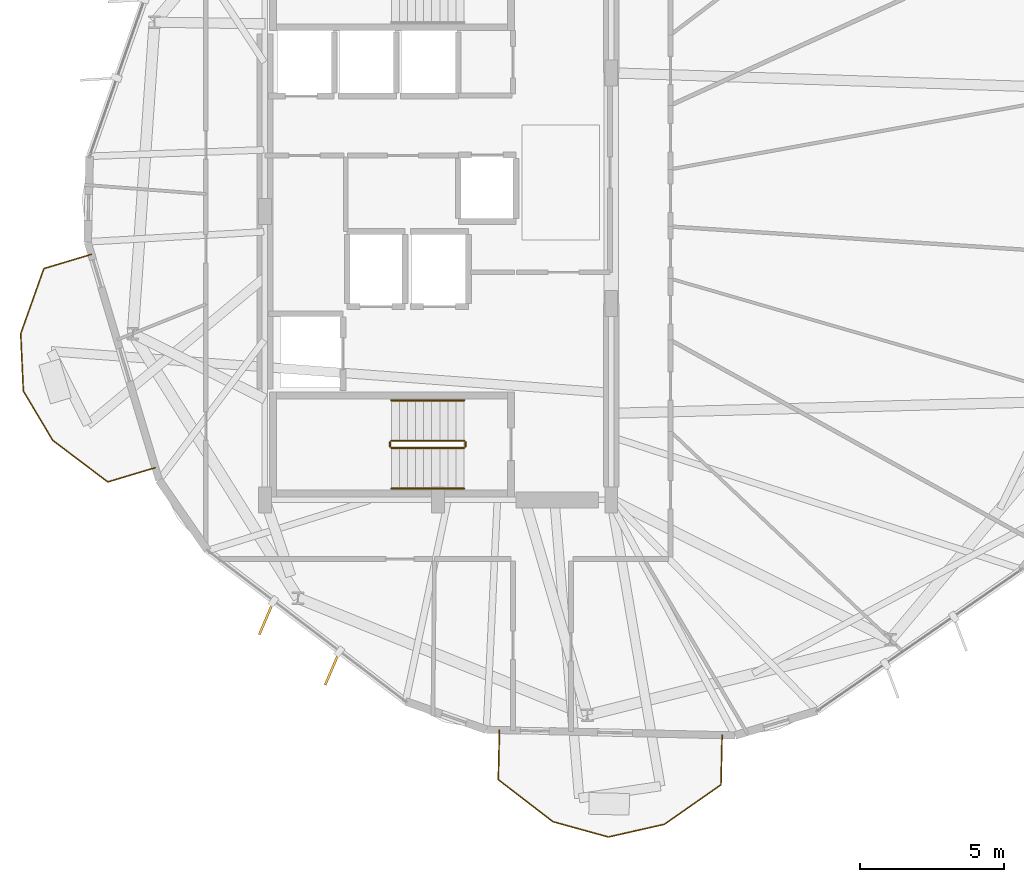
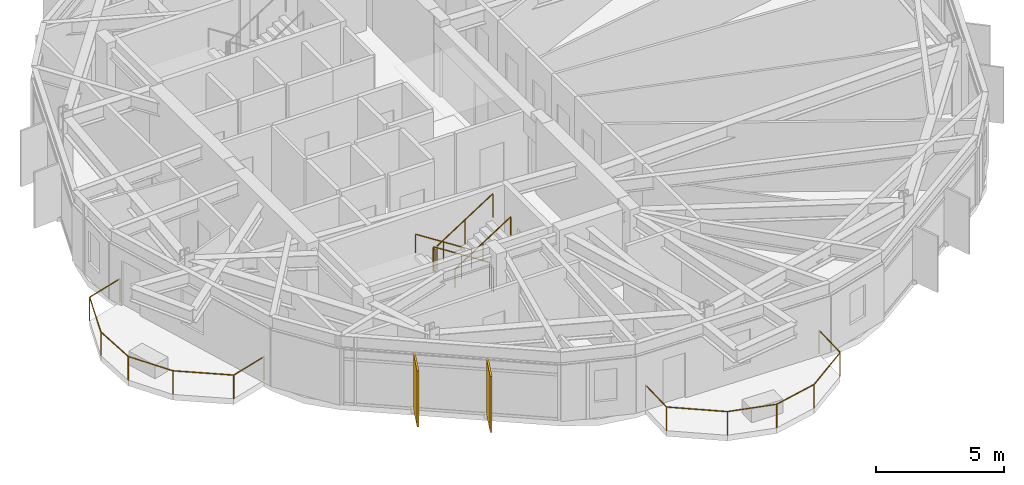
# One storey, part 19 of 22: 8 railings, 2 shading devices.
"""IFC4 building model written with IfcOpenShell, lengths in metres."""

from ifc_helpers import new_model, si_unit, direction, frame, origin, origin_2d, place, context, subcontext, project, spatial, rectangle, circle, extrude, material, layer, layer_set, type_object, element, save


model = new_model("IFC4")

# Units and contexts
model_context = context("Model", 3, precision=1e-05, world=origin(), true_north=direction((0.0, 1.0)))
body_context = subcontext(model_context, "Body", "Model", "MODEL_VIEW")
ifc_project = project(units=[si_unit("LENGTHUNIT", "METRE"), si_unit("AREAUNIT", "SQUARE_METRE"), si_unit("VOLUMEUNIT", "CUBIC_METRE"), si_unit("PLANEANGLEUNIT", "RADIAN"), si_unit("MASSUNIT", "GRAM", prefix="KILO")], contexts=[model_context])

# Site, building, storey
site_placement = place(None, origin())
site = spatial("IfcSite", under=ifc_project, at=site_placement, CompositionType="ELEMENT")
building_placement = place(site_placement, origin())
building = spatial("IfcBuilding", under=site, at=building_placement, Name="Soratama Intermodal Tower", CompositionType="ELEMENT")
storey_placement = place(building_placement, frame((0.0, 0.0, 160.60009765625)))
storey = spatial("IfcBuildingStorey", under=building, at=storey_placement, Name="L39", CompositionType="ELEMENT", Elevation=160.60009765625)

# Railings
ifc_material_1 = material(Name="Laminated glass and stainless steel balustrade", Category="steel")
railing_type_1 = type_object("IfcRailingType", Name="RL-BAL-1150", PredefinedType="BALUSTRADE", material=ifc_material_1)
railing_1_placement = place(storey_placement, frame((28.80126953125, 16.115966796875, 0.0)))
element("IfcRailing", 1, at=railing_1_placement, inside=storey, type_object=railing_type_1, Name="L39 Balcony Balustrade 2", PredefinedType="BALUSTRADE", context=body_context, shape_type="SweptSolid", body=[
    extrude(circle(Radius=0.02392578125, at=origin_2d()), frame((0.0, 0.0, 1.1259765625), z_axis=(-0.95793169669, -0.286996279553, 0.0), x_axis=(0.286996279553, -0.95793169669, 0.0)), (0.0, 0.0, 1.0), 1.719970703125),
    extrude(circle(Radius=0.02392578125, at=origin_2d()), frame((-1.647705078125, -0.49365234375, 1.1259765625), z_axis=(-0.797865143413, 0.602835975143, 0.0), x_axis=(-0.602835975143, -0.797865143413, 0.0)), (0.0, 0.0, 1.0), 2.3935546875),
    extrude(circle(Radius=0.02392578125, at=origin_2d()), frame((-3.557373046875, 0.94921875, 1.1259765625), z_axis=(-0.511751239944, 0.859133673194, 0.0), x_axis=(-0.859133673194, -0.511751239944, 0.0)), (0.0, 0.0, 1.0), 1.990234375),
    extrude(circle(Radius=0.02392578125, at=origin_2d()), frame((-4.575927734375, 2.6591796875, 1.1259765625), z_axis=(-0.045018163538, 0.998986168549, 0.0), x_axis=(-0.998986168549, -0.045018163538, 0.0)), (0.0, 0.0, 1.0), 1.990234375),
    extrude(circle(Radius=0.02392578125, at=origin_2d()), frame((-4.66552734375, 4.6474609375, 1.1259765625), z_axis=(0.334862768903, 0.942266908048, 0.0), x_axis=(-0.942266908048, 0.334862768903, 0.0)), (0.0, 0.0, 1.0), 2.3935546875),
    extrude(circle(Radius=0.02392578125, at=origin_2d()), frame((-3.864013671875, 6.90283203125, 1.1259765625), z_axis=(0.95793169669, 0.286996279553, 0.0), x_axis=(-0.286996279553, 0.95793169669, 0.0)), (0.0, 0.0, 1.0), 1.719970703125),
    extrude(circle(Radius=0.02099609375, at=origin_2d()), origin(), (0.0, 0.0, 1.0), 1.101806640625),
    extrude(circle(Radius=0.02099609375, at=origin_2d()), frame((-1.647705078125, -0.49365234375, 0.0)), (0.0, 0.0, 1.0), 1.101806640625),
    extrude(circle(Radius=0.02099609375, at=origin_2d()), frame((-3.557373046875, 0.94921875, 0.0)), (0.0, 0.0, 1.0), 1.101806640625),
    extrude(circle(Radius=0.02099609375, at=origin_2d()), frame((-4.575927734375, 2.6591796875, 0.0)), (0.0, 0.0, 1.0), 1.101806640625),
    extrude(circle(Radius=0.02099609375, at=origin_2d()), frame((-4.66552734375, 4.6474609375, 0.0)), (0.0, 0.0, 1.0), 1.101806640625),
    extrude(circle(Radius=0.02099609375, at=origin_2d()), frame((-3.864013671875, 6.90283203125, 0.0)), (0.0, 0.0, 1.0), 1.101806640625),
    extrude(circle(Radius=0.02099609375, at=origin_2d()), frame((-2.21630859375, 7.396484375, 0.0)), (0.0, 0.0, 1.0), 1.101806640625),
])
railing_2_placement = place(storey_placement, frame((48.443603515625, 6.848876953125, 0.0)))
element("IfcRailing", 2, at=railing_2_placement, inside=storey, type_object=railing_type_1, Name="L39 Balcony Balustrade 3", PredefinedType="BALUSTRADE", context=body_context, shape_type="SweptSolid", body=[
    extrude(circle(Radius=0.02392578125, at=origin_2d()), frame((0.0, 0.0, 1.1259765625), z_axis=(-0.023134068225, -0.999732371631, 0.0), x_axis=(0.999732371631, -0.023134068225, 0.0)), (0.0, 0.0, 1.0), 1.72021484375),
    extrude(circle(Radius=0.02392578125, at=origin_2d()), frame((-0.039794921875, -1.7197265625, 1.1259765625), z_axis=(-0.819883101837, -0.57253095927, 0.0), x_axis=(0.57253095927, -0.819883101837, 0.0)), (0.0, 0.0, 1.0), 2.3935546875),
    extrude(circle(Radius=0.02392578125, at=origin_2d()), frame((-2.002197265625, -3.090087890625, 1.1259765625), z_axis=(-0.975233975684, -0.221175705429, 0.0), x_axis=(0.221175705429, -0.975233975684, 0.0)), (0.0, 0.0, 1.0), 1.990234375),
    extrude(circle(Radius=0.02392578125, at=origin_2d()), frame((-3.943115234375, -3.5302734375, 1.1259765625), z_axis=(-0.963992618206, 0.265928998126, 0.0), x_axis=(-0.265928998126, -0.963992618206, 0.0)), (0.0, 0.0, 1.0), 1.990478515625),
    extrude(circle(Radius=0.02392578125, at=origin_2d()), frame((-5.86181640625, -3.0009765625, 1.1259765625), z_axis=(-0.792658114951, 0.60966639468, 0.0), x_axis=(-0.60966639468, -0.792658114951, 0.0)), (0.0, 0.0, 1.0), 2.3935546875),
    extrude(circle(Radius=0.02392578125, at=origin_2d()), frame((-7.759033203125, -1.541748046875, 1.1259765625), z_axis=(0.022995479508, 0.999735568999, 0.0), x_axis=(-0.999735568999, 0.022995479508, 0.0)), (0.0, 0.0, 1.0), 1.719970703125),
    extrude(circle(Radius=0.02099609375, at=origin_2d()), origin(), (0.0, 0.0, 1.0), 1.101806640625),
    extrude(circle(Radius=0.02099609375, at=origin_2d()), frame((-0.039794921875, -1.7197265625, 0.0)), (0.0, 0.0, 1.0), 1.101806640625),
    extrude(circle(Radius=0.02099609375, at=origin_2d()), frame((-2.002197265625, -3.090087890625, 0.0)), (0.0, 0.0, 1.0), 1.101806640625),
    extrude(circle(Radius=0.02099609375, at=origin_2d()), frame((-3.943115234375, -3.5302734375, 0.0)), (0.0, 0.0, 1.0), 1.101806640625),
    extrude(circle(Radius=0.02099609375, at=origin_2d()), frame((-5.86181640625, -3.0009765625, 0.0)), (0.0, 0.0, 1.0), 1.101806640625),
    extrude(circle(Radius=0.02099609375, at=origin_2d()), frame((-7.759033203125, -1.541748046875, 0.0)), (0.0, 0.0, 1.0), 1.101806640625),
    extrude(circle(Radius=0.02099609375, at=origin_2d()), frame((-7.719482421875, 0.177734375, 0.0)), (0.0, 0.0, 1.0), 1.101806640625),
])
ifc_material_2 = material(Name="Painted steel stair guardrail", Category="steel")
railing_type_2 = type_object("IfcRailingType", Name="RL-STAIR-GUARD", PredefinedType="GUARDRAIL", material=ifc_material_2)
railing_3_placement = place(storey_placement, frame((39.5, 17.050048828125, 0.179931640625)))
element("IfcRailing", 3, at=railing_3_placement, inside=storey, type_object=railing_type_2, Name="L39 ST-1 stair guard 1", PredefinedType="GUARDRAIL", context=body_context, shape_type="SweptSolid", body=[
    extrude(circle(Radius=0.02392578125, at=origin_2d()), frame((0.0, 0.0, 1.1259765625), z_axis=(-0.841199657755, 0.0, 0.540724639528), x_axis=(0.0, -1.0, 0.0)), (0.0, 0.0, 1.0), 2.995849609375),
    extrude(circle(Radius=0.02099609375, at=origin_2d()), origin(), (0.0, 0.0, 1.0), 1.101806640625),
    extrude(circle(Radius=0.02099609375, at=origin_2d()), frame((-1.260009765625, 0.0, 0.81005859375)), (0.0, 0.0, 1.0), 1.101806640625),
    extrude(circle(Radius=0.02099609375, at=origin_2d()), frame((-2.52001953125, 0.0, 1.619873046875)), (0.0, 0.0, 1.0), 1.101806640625),
])
railing_4_placement = place(storey_placement, frame((36.929931640625, 17.0, 1.7998046875)))
element("IfcRailing", 4, at=railing_4_placement, inside=storey, type_object=railing_type_2, Name="L39 ST-1 stair guard 2", PredefinedType="GUARDRAIL", context=body_context, shape_type="SweptSolid", body=[
    extrude(circle(Radius=0.02392578125, at=origin_2d()), frame((0.0, 0.0, 1.1259765625), z_axis=(0.0, -1.0, 0.0), x_axis=(1.0, 0.0, 0.0)), (0.0, 0.0, 1.0), 0.14990234375),
    extrude(circle(Radius=0.02099609375, at=origin_2d()), origin(), (0.0, 0.0, 1.0), 1.101806640625),
    extrude(circle(Radius=0.02099609375, at=origin_2d()), frame((0.0, -0.14990234375, 0.0)), (0.0, 0.0, 1.0), 1.101806640625),
])
railing_5_placement = place(storey_placement, frame((36.97998046875, 16.800048828125, 1.97998046875)))
element("IfcRailing", 5, at=railing_5_placement, inside=storey, type_object=railing_type_2, Name="L39 ST-1 stair guard 3", PredefinedType="GUARDRAIL", context=body_context, shape_type="SweptSolid", body=[
    extrude(circle(Radius=0.02392578125, at=origin_2d()), frame((0.0, 0.0, 1.1259765625), z_axis=(0.841199657755, 0.0, 0.540724639528), x_axis=(0.0, 1.0, 0.0)), (0.0, 0.0, 1.0), 2.995849609375),
    extrude(circle(Radius=0.02099609375, at=origin_2d()), origin(), (0.0, 0.0, 1.0), 1.101806640625),
    extrude(circle(Radius=0.02099609375, at=origin_2d()), frame((1.260009765625, 0.0, 0.81005859375)), (0.0, 0.0, 1.0), 1.101806640625),
    extrude(circle(Radius=0.02099609375, at=origin_2d()), frame((2.52001953125, 0.0, 1.619873046875)), (0.0, 0.0, 1.0), 1.101806640625),
])
railing_6_placement = place(storey_placement, frame((39.550048828125, 17.0, 0.0)))
element("IfcRailing", 6, at=railing_6_placement, inside=storey, type_object=railing_type_2, Name="L39 ST-1 stair guard 4", PredefinedType="GUARDRAIL", context=body_context, shape_type="SweptSolid", body=[
    extrude(circle(Radius=0.02392578125, at=origin_2d()), frame((0.0, 0.0, 1.1259765625), z_axis=(0.0, -1.0, 0.0), x_axis=(1.0, 0.0, 0.0)), (0.0, 0.0, 1.0), 0.14990234375),
    extrude(circle(Radius=0.02099609375, at=origin_2d()), origin(), (0.0, 0.0, 1.0), 1.101806640625),
    extrude(circle(Radius=0.02099609375, at=origin_2d()), frame((0.0, -0.14990234375, 0.0)), (0.0, 0.0, 1.0), 1.101806640625),
])
ifc_material_3 = material(Name="Brushed stainless steel handrail", Category="steel")
railing_type_3 = type_object("IfcRailingType", Name="RL-STAIR-HAND", PredefinedType="HANDRAIL", material=ifc_material_3)
railing_7_placement = place(storey_placement, frame((39.5, 18.449951171875, 0.179931640625)))
element("IfcRailing", 7, at=railing_7_placement, inside=storey, type_object=railing_type_3, Name="L39 ST-1 stair handrail 1", PredefinedType="HANDRAIL", context=body_context, shape_type="SweptSolid", body=[
    extrude(circle(Radius=0.02392578125, at=origin_2d()), frame((0.0, 0.0, 0.8759765625), z_axis=(-0.841199657755, 0.0, 0.540724639528), x_axis=(0.0, -1.0, 0.0)), (0.0, 0.0, 1.0), 2.995849609375),
    extrude(circle(Radius=0.02099609375, at=origin_2d()), origin(), (0.0, 0.0, 1.0), 0.851806640625),
    extrude(circle(Radius=0.02099609375, at=origin_2d()), frame((-1.260009765625, 0.0, 0.81005859375)), (0.0, 0.0, 1.0), 0.851806640625),
    extrude(circle(Radius=0.02099609375, at=origin_2d()), frame((-2.52001953125, 0.0, 1.619873046875)), (0.0, 0.0, 1.0), 0.851806640625),
])
railing_8_placement = place(storey_placement, frame((36.97998046875, 15.39990234375, 1.97998046875)))
element("IfcRailing", 8, at=railing_8_placement, inside=storey, type_object=railing_type_3, Name="L39 ST-1 stair handrail 2", PredefinedType="HANDRAIL", context=body_context, shape_type="SweptSolid", body=[
    extrude(circle(Radius=0.02392578125, at=origin_2d()), frame((0.0, 0.0, 0.8759765625), z_axis=(0.841199657755, 0.0, 0.540724639528), x_axis=(0.0, 1.0, 0.0)), (0.0, 0.0, 1.0), 2.995849609375),
    extrude(circle(Radius=0.02099609375, at=origin_2d()), origin(), (0.0, 0.0, 1.0), 0.851806640625),
    extrude(circle(Radius=0.02099609375, at=origin_2d()), frame((1.260009765625, 0.0, 0.81005859375)), (0.0, 0.0, 1.0), 0.851806640625),
    extrude(circle(Radius=0.02099609375, at=origin_2d()), frame((2.52001953125, 0.0, 1.619873046875)), (0.0, 0.0, 1.0), 0.851806640625),
])

# Shading devices
ifc_material_4 = material(Name="Champagne anodised aluminium solar fin", Category="aluminium")
ifc_layer = layer(ifc_material_4, 0.080078125)
ifc_layer_set = layer_set([ifc_layer], Name="Champagne anodised aluminium solar fin")
shading_device_type = type_object("IfcShadingDeviceType", Name="SH-FIN-1250", PredefinedType="USERDEFINED", material=ifc_layer_set)
for number, where, z_axis, x_axis, name in (
    (9, (32.649658203125, 10.910400390625, 0.02001953125), (0.0, 0.0, 1.0), (-0.394102322969, -0.919066569423, 0.0), "L39 Solar Fin F06-1"),
    (10, (34.93505859375, 9.16796875, 0.02001953125), (0.0, 0.0, 1.0), (-0.394102322969, -0.919066569423, 0.0), "L39 Solar Fin F06-2"),
):
    element("IfcShadingDevice", number, at=place(storey_placement, frame(where, z_axis=z_axis, x_axis=x_axis)), inside=storey, type_object=shading_device_type, Name=name, ObjectType="FIN", PredefinedType="USERDEFINED", context=body_context, shape_type="SweptSolid", body=[
        extrude(rectangle(XDim=1.25, YDim=0.080078125, at=origin_2d()), origin(), (0.0, 0.0, 1.0), 2.658935546875),
    ])

save(model, "model.ifc")
